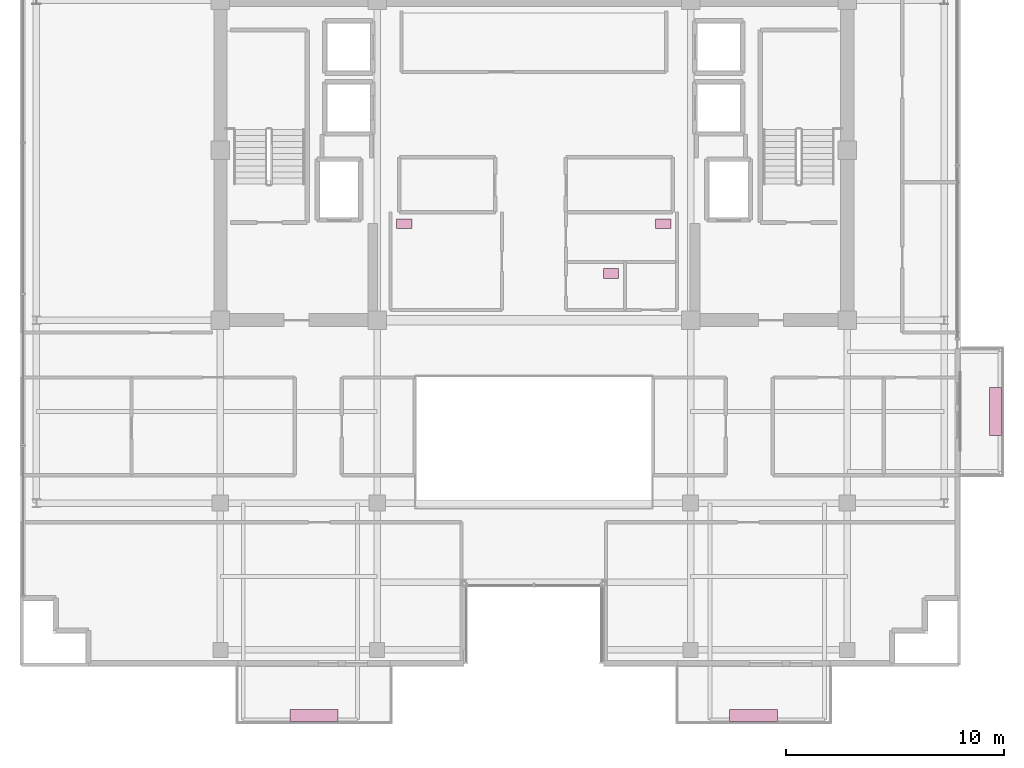
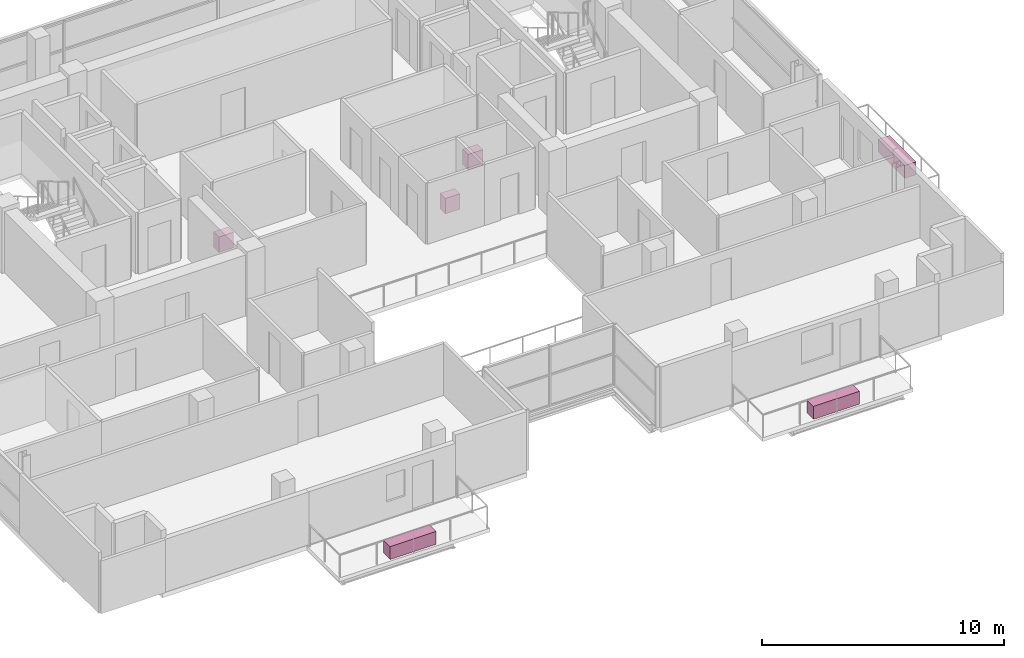
# One storey, part 23 of 23: 6 furnishings.
"""IFC4 building model written with IfcOpenShell, lengths in metres."""

from ifc_helpers import new_model, si_unit, direction, frame, origin, origin_2d, place, context, subcontext, project, spatial, rectangle, extrude, source, transform, mapped, material, type_object, element, save


model = new_model("IFC4")

# Units and contexts
model_context = context("Model", 3, precision=1e-05, world=origin(), true_north=direction((0.0, 1.0)))
body_context = subcontext(model_context, "Body", "Model", "MODEL_VIEW")
ifc_project = project(units=[si_unit("LENGTHUNIT", "METRE"), si_unit("AREAUNIT", "SQUARE_METRE"), si_unit("VOLUMEUNIT", "CUBIC_METRE"), si_unit("PLANEANGLEUNIT", "RADIAN"), si_unit("MASSUNIT", "GRAM", prefix="KILO")], contexts=[model_context])

# Site, building, storey
site_placement = place(None, origin())
site = spatial("IfcSite", under=ifc_project, at=site_placement, CompositionType="ELEMENT")
building_placement = place(site_placement, origin())
building = spatial("IfcBuilding", under=site, at=building_placement, Name="Zarnakvel Exchange Tower", CompositionType="ELEMENT")
storey_placement = place(building_placement, frame((0.0, 0.0, 218.800048828125)))
storey = spatial("IfcBuildingStorey", under=building, at=storey_placement, Name="L61", CompositionType="ELEMENT", Elevation=218.800048828125)

# Furnishings
ifc_material_1 = material(Name="Architectural Bronze Anodised Aluminium", Category="aluminium")
furnishing_element_type_1 = type_object("IfcFurnishingElementType", Name="PLNT-01", material=ifc_material_1)
shared_shape_1 = source(origin(), body_context, "Body", "SweptSolid", [
    extrude(rectangle(XDim=2.199951171875, YDim=0.550048828125, at=origin_2d()), origin(), (0.0, 0.0, 1.0), 0.64990234375),
])
for number, where, z_axis, x_axis, name in (
    (1, (-10.10009765625, -19.3701171875, -0.034912109375), (0.0, 0.0, 1.0), (1.0, 0.0, 0.0), "L61 Balcony Greenery Planter BAL-L61-SW"),
    (2, (10.10009765625, -19.3701171875, -0.034912109375), (0.0, 0.0, 1.0), (1.0, 0.0, 0.0), "L61 Balcony Greenery Planter BAL-L61-SE"),
    (3, (21.219970703125, -5.39990234375, -0.034912109375), (0.0, 0.0, 1.0), (0.0, 1.0, 0.0), "L61 Balcony Greenery Planter BAL-L61-E"),
):
    element("IfcFurnishingElement", number, at=place(storey_placement, frame(where, z_axis=z_axis, x_axis=x_axis)), inside=storey, type_object=furnishing_element_type_1, Name=name, ObjectType="PLANTER", context=body_context, shape_type="MappedRepresentation", body=[
        mapped(shared_shape_1, transform((0.0, 0.0, 0.0), x_axis=(1.0, 0.0, 0.0), y_axis=(0.0, 1.0, 0.0), z_axis=(0.0, 0.0, 1.0), scale=1.0)),
    ])
ifc_material_2 = material(Name="Vitreous China Sanitaryware", Category="ceramic")
furnishing_element_type_2 = type_object("IfcFurnishingElementType", Name="SAN-WC", material=ifc_material_2)
shared_shape_2 = source(origin(), body_context, "Body", "SweptSolid", [
    extrude(rectangle(XDim=0.699951171875, YDim=0.449951171875, at=origin_2d()), origin(), (0.0, 0.0, 1.0), 0.780029296875),
])
for number, where, z_axis, x_axis, name in (
    (4, (-5.949951171875, 3.22998046875, 0.0), (0.0, 0.0, 1.0), (1.0, 0.0, 0.0), "L61 Sanitary Fixture (Male Toilet)"),
    (5, (5.949951171875, 3.22998046875, 0.0), (0.0, 0.0, 1.0), (1.0, 0.0, 0.0), "L61 Sanitary Fixture (Female Toilet)"),
    (6, (3.550048828125, 0.949951171875, 0.0), (0.0, 0.0, 1.0), (1.0, 0.0, 0.0), "L61 Sanitary Fixture (Accessible Toilet)"),
):
    element("IfcFurnishingElement", number, at=place(storey_placement, frame(where, z_axis=z_axis, x_axis=x_axis)), inside=storey, type_object=furnishing_element_type_2, Name=name, ObjectType="SANITARY_FIXTURE", context=body_context, shape_type="MappedRepresentation", body=[
        mapped(shared_shape_2, transform((0.0, 0.0, 0.0), x_axis=(1.0, 0.0, 0.0), y_axis=(0.0, 1.0, 0.0), z_axis=(0.0, 0.0, 1.0), scale=1.0)),
    ])

save(model, "model.ifc")
